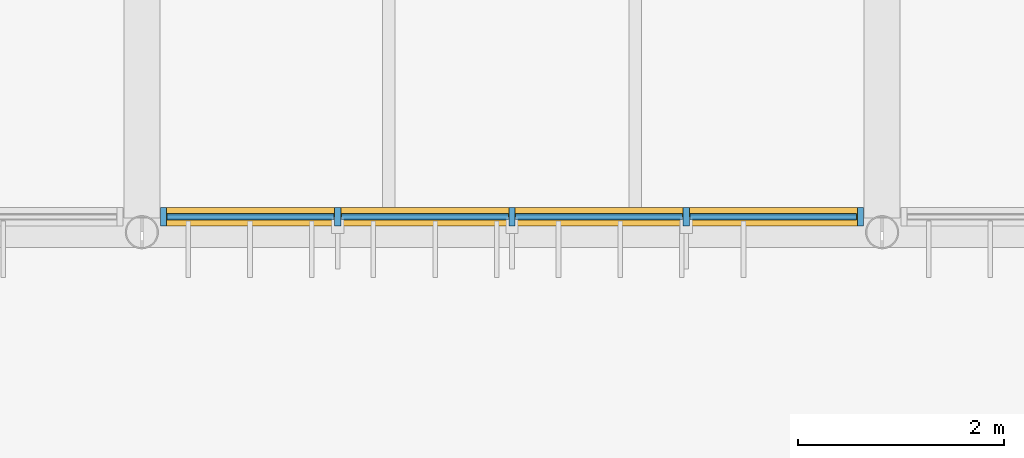
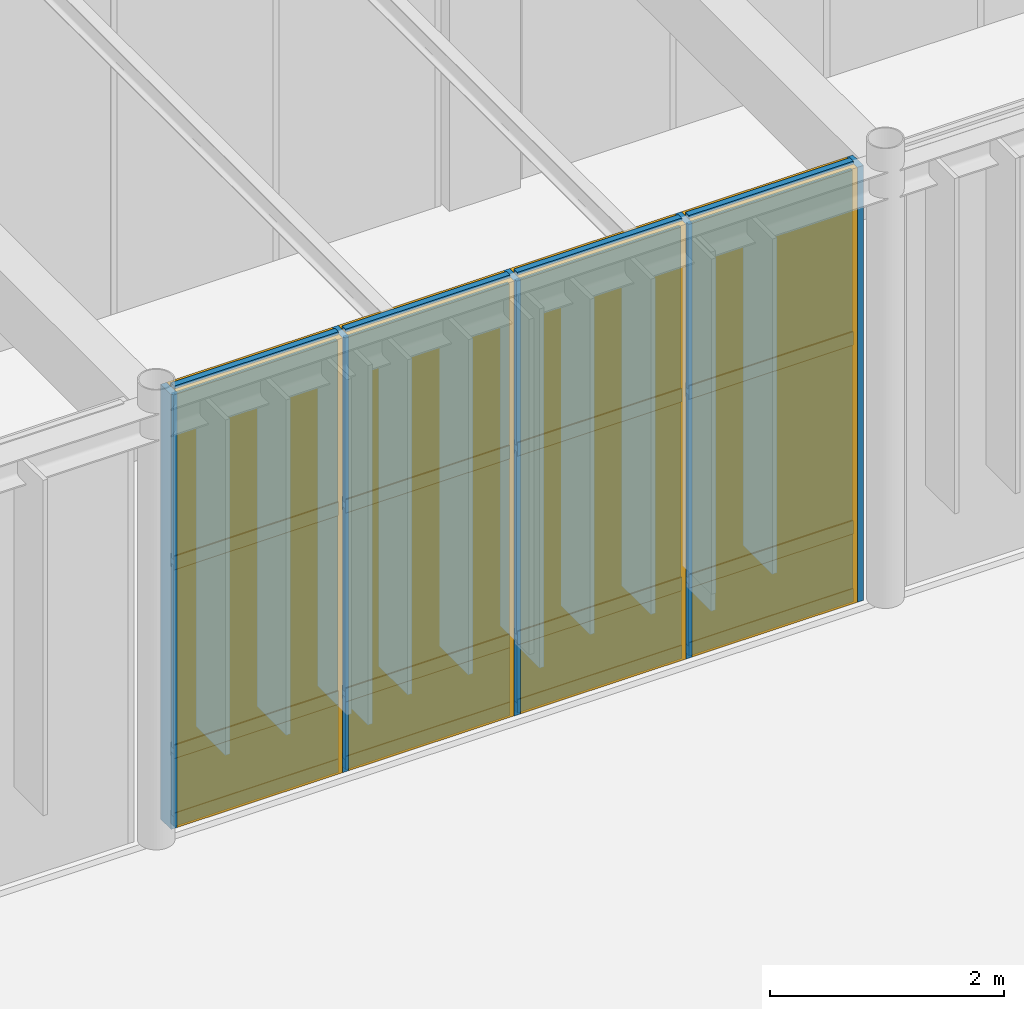
# One storey, part 88 of 122: 21 members, 12 plates, 1 curtain wall.
"""IFC4 building model written with IfcOpenShell, lengths in metres."""

from ifc_helpers import new_model, si_unit, direction, frame, frame_2d, origin, origin_2d, place, context, subcontext, project, spatial, rectangle, extrude, material, layer, layer_set, material_profile, profile_set, type_object, element, aggregate, save


model = new_model("IFC4")

# Units and contexts
model_context = context("Model", 3, precision=1e-05, world=origin(), true_north=direction((0.0, 1.0)))
body_context = subcontext(model_context, "Body", "Model", "MODEL_VIEW")
ifc_project = project(units=[si_unit("LENGTHUNIT", "METRE"), si_unit("AREAUNIT", "SQUARE_METRE"), si_unit("VOLUMEUNIT", "CUBIC_METRE"), si_unit("PLANEANGLEUNIT", "RADIAN"), si_unit("MASSUNIT", "GRAM", prefix="KILO")], contexts=[model_context])

# Member
ifc_material_1 = material(Name="Anodised Bronze Aluminium 6063-T6", Category="aluminium")
ifc_material_profile_1 = material_profile(ifc_material_1, rectangle(XDim=0.06005859375, YDim=0.179931640625, at=origin_2d()), Name="ALU MULLION 60x180")
ifc_profile_set_1 = profile_set([ifc_material_profile_1], Name="Anodised Bronze Aluminium 6063-T6")
member_type_1 = type_object("IfcMemberType", Name="Curtain-Wall Primary Mullion 60x180", PredefinedType="MULLION", material=ifc_profile_set_1)
site_placement = place(None, origin())
building_placement = place(site_placement, origin())
storey_placement = place(building_placement, origin())
member_1_placement = place(storey_placement, frame((110.011962890625, 44.75, 0.0), z_axis=(0.0, 0.0, 1.0), x_axis=(1.0, 0.0, 0.0)))
member_1 = element("IfcMember", 1, at=member_1_placement, type_object=member_type_1, Name="Mullion CWM-01 CW-ELNK-S-L00-B3-M01", PredefinedType="MULLION", context=body_context, shape_type="SweptSolid", body=[
    extrude(rectangle(XDim=0.06005859375, YDim=0.179931640625, at=origin_2d()), origin(), (0.0, 0.0, 1.0), 4.5400390625),
])

member_2_placement = place(storey_placement, frame((111.705810546875, 44.75, 0.0), z_axis=(0.0, 0.0, 1.0), x_axis=(1.0, 0.0, 0.0)))
member_2 = element("IfcMember", 2, at=member_2_placement, type_object=member_type_1, Name="Mullion CWM-01 CW-ELNK-S-L00-B3-M02", PredefinedType="MULLION", context=body_context, shape_type="SweptSolid", body=[
    extrude(rectangle(XDim=0.06005859375, YDim=0.179931640625, at=origin_2d()), origin(), (0.0, 0.0, 1.0), 4.5400390625),
])

member_3_placement = place(storey_placement, frame((113.39990234375, 44.75, 0.0), z_axis=(0.0, 0.0, 1.0), x_axis=(1.0, 0.0, 0.0)))
member_3 = element("IfcMember", 3, at=member_3_placement, type_object=member_type_1, Name="Mullion CWM-01 CW-ELNK-S-L00-B3-M03", PredefinedType="MULLION", context=body_context, shape_type="SweptSolid", body=[
    extrude(rectangle(XDim=0.06005859375, YDim=0.179931640625, at=origin_2d()), origin(), (0.0, 0.0, 1.0), 4.5400390625),
])

member_4_placement = place(storey_placement, frame((115.093994140625, 44.75, 0.0), z_axis=(0.0, 0.0, 1.0), x_axis=(1.0, 0.0, 0.0)))
member_4 = element("IfcMember", 4, at=member_4_placement, type_object=member_type_1, Name="Mullion CWM-01 CW-ELNK-S-L00-B3-M04", PredefinedType="MULLION", context=body_context, shape_type="SweptSolid", body=[
    extrude(rectangle(XDim=0.06005859375, YDim=0.179931640625, at=origin_2d()), origin(), (0.0, 0.0, 1.0), 4.5400390625),
])

member_5_placement = place(storey_placement, frame((116.7880859375, 44.75, 0.0), z_axis=(0.0, 0.0, 1.0), x_axis=(1.0, 0.0, 0.0)))
member_5 = element("IfcMember", 5, at=member_5_placement, type_object=member_type_1, Name="Mullion CWM-01 CW-ELNK-S-L00-B3-M05", PredefinedType="MULLION", context=body_context, shape_type="SweptSolid", body=[
    extrude(rectangle(XDim=0.06005859375, YDim=0.179931640625, at=origin_2d()), origin(), (0.0, 0.0, 1.0), 4.5400390625),
])

ifc_material_profile_2 = material_profile(ifc_material_1, rectangle(XDim=0.06005859375, YDim=0.139892578125, at=origin_2d()), Name="ALU TRANSOM 60x140")
ifc_profile_set_2 = profile_set([ifc_material_profile_2], Name="Anodised Bronze Aluminium 6063-T6")
member_type_2 = type_object("IfcMemberType", Name="Curtain-Wall Transom 60x140", PredefinedType="USERDEFINED", material=ifc_profile_set_2)
member_6_placement = place(storey_placement, frame((110.046875, 44.75, 0.0400390625), z_axis=(1.0, 0.0, 0.0), x_axis=(0.0, 1.0, 0.0)))
member_6 = element("IfcMember", 6, at=member_6_placement, type_object=member_type_2, Name="Transom CWT-01 CW-ELNK-S-L00-B3-T01.1", ObjectType="TRANSOM", PredefinedType="USERDEFINED", context=body_context, shape_type="SweptSolid", body=[
    extrude(rectangle(XDim=0.06005859375, YDim=0.139892578125, at=origin_2d()), origin(), (0.0, 0.0, 1.0), 1.6240234375),
])

member_7_placement = place(storey_placement, frame((110.046875, 44.75, 0.75), z_axis=(1.0, 0.0, 0.0), x_axis=(0.0, 1.0, 0.0)))
member_7 = element("IfcMember", 7, at=member_7_placement, type_object=member_type_2, Name="Transom CWT-01 CW-ELNK-S-L00-B3-T01.2", ObjectType="TRANSOM", PredefinedType="USERDEFINED", context=body_context, shape_type="SweptSolid", body=[
    extrude(rectangle(XDim=0.06005859375, YDim=0.139892578125, at=origin_2d()), origin(), (0.0, 0.0, 1.0), 1.6240234375),
])

member_8_placement = place(storey_placement, frame((110.046875, 44.75, 2.720703125), z_axis=(1.0, 0.0, 0.0), x_axis=(0.0, 1.0, 0.0)))
member_8 = element("IfcMember", 8, at=member_8_placement, type_object=member_type_2, Name="Transom CWT-01 CW-ELNK-S-L00-B3-T01.3", ObjectType="TRANSOM", PredefinedType="USERDEFINED", context=body_context, shape_type="SweptSolid", body=[
    extrude(rectangle(XDim=0.06005859375, YDim=0.139892578125, at=origin_2d()), origin(), (0.0, 0.0, 1.0), 1.6240234375),
])

member_9_placement = place(storey_placement, frame((110.046875, 44.75, 4.5), z_axis=(1.0, 0.0, 0.0), x_axis=(0.0, 1.0, 0.0)))
member_9 = element("IfcMember", 9, at=member_9_placement, type_object=member_type_2, Name="Transom CWT-01 CW-ELNK-S-L00-B3-T01.4", ObjectType="TRANSOM", PredefinedType="USERDEFINED", context=body_context, shape_type="SweptSolid", body=[
    extrude(rectangle(XDim=0.06005859375, YDim=0.139892578125, at=origin_2d()), origin(), (0.0, 0.0, 1.0), 1.6240234375),
])

member_10_placement = place(storey_placement, frame((111.740966796875, 44.75, 0.0400390625), z_axis=(1.0, 0.0, 0.0), x_axis=(0.0, 1.0, 0.0)))
member_10 = element("IfcMember", 10, at=member_10_placement, type_object=member_type_2, Name="Transom CWT-01 CW-ELNK-S-L00-B3-T02.1", ObjectType="TRANSOM", PredefinedType="USERDEFINED", context=body_context, shape_type="SweptSolid", body=[
    extrude(rectangle(XDim=0.06005859375, YDim=0.139892578125, at=origin_2d()), origin(), (0.0, 0.0, 1.0), 1.6240234375),
])

member_11_placement = place(storey_placement, frame((111.740966796875, 44.75, 0.75), z_axis=(1.0, 0.0, 0.0), x_axis=(0.0, 1.0, 0.0)))
member_11 = element("IfcMember", 11, at=member_11_placement, type_object=member_type_2, Name="Transom CWT-01 CW-ELNK-S-L00-B3-T02.2", ObjectType="TRANSOM", PredefinedType="USERDEFINED", context=body_context, shape_type="SweptSolid", body=[
    extrude(rectangle(XDim=0.06005859375, YDim=0.139892578125, at=origin_2d()), origin(), (0.0, 0.0, 1.0), 1.6240234375),
])

member_12_placement = place(storey_placement, frame((111.740966796875, 44.75, 2.720703125), z_axis=(1.0, 0.0, 0.0), x_axis=(0.0, 1.0, 0.0)))
member_12 = element("IfcMember", 12, at=member_12_placement, type_object=member_type_2, Name="Transom CWT-01 CW-ELNK-S-L00-B3-T02.3", ObjectType="TRANSOM", PredefinedType="USERDEFINED", context=body_context, shape_type="SweptSolid", body=[
    extrude(rectangle(XDim=0.06005859375, YDim=0.139892578125, at=origin_2d()), origin(), (0.0, 0.0, 1.0), 1.6240234375),
])

member_13_placement = place(storey_placement, frame((111.740966796875, 44.75, 4.5), z_axis=(1.0, 0.0, 0.0), x_axis=(0.0, 1.0, 0.0)))
member_13 = element("IfcMember", 13, at=member_13_placement, type_object=member_type_2, Name="Transom CWT-01 CW-ELNK-S-L00-B3-T02.4", ObjectType="TRANSOM", PredefinedType="USERDEFINED", context=body_context, shape_type="SweptSolid", body=[
    extrude(rectangle(XDim=0.06005859375, YDim=0.139892578125, at=origin_2d()), origin(), (0.0, 0.0, 1.0), 1.6240234375),
])

member_14_placement = place(storey_placement, frame((113.43505859375, 44.75, 0.0400390625), z_axis=(1.0, 0.0, 0.0), x_axis=(0.0, 1.0, 0.0)))
member_14 = element("IfcMember", 14, at=member_14_placement, type_object=member_type_2, Name="Transom CWT-01 CW-ELNK-S-L00-B3-T03.1", ObjectType="TRANSOM", PredefinedType="USERDEFINED", context=body_context, shape_type="SweptSolid", body=[
    extrude(rectangle(XDim=0.06005859375, YDim=0.139892578125, at=origin_2d()), origin(), (0.0, 0.0, 1.0), 1.6240234375),
])

member_15_placement = place(storey_placement, frame((113.43505859375, 44.75, 0.75), z_axis=(1.0, 0.0, 0.0), x_axis=(0.0, 1.0, 0.0)))
member_15 = element("IfcMember", 15, at=member_15_placement, type_object=member_type_2, Name="Transom CWT-01 CW-ELNK-S-L00-B3-T03.2", ObjectType="TRANSOM", PredefinedType="USERDEFINED", context=body_context, shape_type="SweptSolid", body=[
    extrude(rectangle(XDim=0.06005859375, YDim=0.139892578125, at=origin_2d()), origin(), (0.0, 0.0, 1.0), 1.6240234375),
])

member_16_placement = place(storey_placement, frame((113.43505859375, 44.75, 2.720703125), z_axis=(1.0, 0.0, 0.0), x_axis=(0.0, 1.0, 0.0)))
member_16 = element("IfcMember", 16, at=member_16_placement, type_object=member_type_2, Name="Transom CWT-01 CW-ELNK-S-L00-B3-T03.3", ObjectType="TRANSOM", PredefinedType="USERDEFINED", context=body_context, shape_type="SweptSolid", body=[
    extrude(rectangle(XDim=0.06005859375, YDim=0.139892578125, at=origin_2d()), origin(), (0.0, 0.0, 1.0), 1.6240234375),
])

member_17_placement = place(storey_placement, frame((113.43505859375, 44.75, 4.5), z_axis=(1.0, 0.0, 0.0), x_axis=(0.0, 1.0, 0.0)))
member_17 = element("IfcMember", 17, at=member_17_placement, type_object=member_type_2, Name="Transom CWT-01 CW-ELNK-S-L00-B3-T03.4", ObjectType="TRANSOM", PredefinedType="USERDEFINED", context=body_context, shape_type="SweptSolid", body=[
    extrude(rectangle(XDim=0.06005859375, YDim=0.139892578125, at=origin_2d()), origin(), (0.0, 0.0, 1.0), 1.6240234375),
])

member_18_placement = place(storey_placement, frame((115.12890625, 44.75, 0.0400390625), z_axis=(1.0, 0.0, 0.0), x_axis=(0.0, 1.0, 0.0)))
member_18 = element("IfcMember", 18, at=member_18_placement, type_object=member_type_2, Name="Transom CWT-01 CW-ELNK-S-L00-B3-T04.1", ObjectType="TRANSOM", PredefinedType="USERDEFINED", context=body_context, shape_type="SweptSolid", body=[
    extrude(rectangle(XDim=0.06005859375, YDim=0.139892578125, at=origin_2d()), origin(), (0.0, 0.0, 1.0), 1.6240234375),
])

member_19_placement = place(storey_placement, frame((115.12890625, 44.75, 0.75), z_axis=(1.0, 0.0, 0.0), x_axis=(0.0, 1.0, 0.0)))
member_19 = element("IfcMember", 19, at=member_19_placement, type_object=member_type_2, Name="Transom CWT-01 CW-ELNK-S-L00-B3-T04.2", ObjectType="TRANSOM", PredefinedType="USERDEFINED", context=body_context, shape_type="SweptSolid", body=[
    extrude(rectangle(XDim=0.06005859375, YDim=0.139892578125, at=origin_2d()), origin(), (0.0, 0.0, 1.0), 1.6240234375),
])

member_20_placement = place(storey_placement, frame((115.12890625, 44.75, 2.720703125), z_axis=(1.0, 0.0, 0.0), x_axis=(0.0, 1.0, 0.0)))
member_20 = element("IfcMember", 20, at=member_20_placement, type_object=member_type_2, Name="Transom CWT-01 CW-ELNK-S-L00-B3-T04.3", ObjectType="TRANSOM", PredefinedType="USERDEFINED", context=body_context, shape_type="SweptSolid", body=[
    extrude(rectangle(XDim=0.06005859375, YDim=0.139892578125, at=origin_2d()), origin(), (0.0, 0.0, 1.0), 1.6240234375),
])

member_21_placement = place(storey_placement, frame((115.12890625, 44.75, 4.5), z_axis=(1.0, 0.0, 0.0), x_axis=(0.0, 1.0, 0.0)))
member_21 = element("IfcMember", 21, at=member_21_placement, type_object=member_type_2, Name="Transom CWT-01 CW-ELNK-S-L00-B3-T04.4", ObjectType="TRANSOM", PredefinedType="USERDEFINED", context=body_context, shape_type="SweptSolid", body=[
    extrude(rectangle(XDim=0.06005859375, YDim=0.139892578125, at=origin_2d()), origin(), (0.0, 0.0, 1.0), 1.6240234375),
])

# Plate
ifc_material_2 = material(Name="Insulated Bronze Aluminium Spandrel Panel", Category="aluminium")
ifc_layer_1 = layer(ifc_material_2, 0.050048828125, Name="Insulated Bronze Aluminium Spandrel Panel")
ifc_layer_set_1 = layer_set([ifc_layer_1], Name="Insulated Bronze Aluminium Spandrel Panel")
plate_type_1 = type_object("IfcPlateType", Name="Insulated Anodised Aluminium Spandrel Cassette 50", PredefinedType="CURTAIN_PANEL", material=ifc_layer_set_1)
plate_1_placement = place(storey_placement, frame((110.85888671875, 44.75, 0.070068359375), z_axis=(0.0, 0.0, 1.0), x_axis=(1.0, 0.0, 0.0)))
plate_1 = element("IfcPlate", 22, at=plate_1_placement, type_object=plate_type_1, Name="Curtain Panel CWP-03 CW-ELNK-S-L00-B3-P01.1", PredefinedType="CURTAIN_PANEL", context=body_context, shape_type="SweptSolid", body=[
    extrude(rectangle(XDim=1.6240234375, YDim=0.050048828125, at=origin_2d()), origin(), (0.0, 0.0, 1.0), 0.64990234375),
])

plate_2_placement = place(storey_placement, frame((112.552978515625, 44.75, 0.070068359375), z_axis=(0.0, 0.0, 1.0), x_axis=(1.0, 0.0, 0.0)))
plate_2 = element("IfcPlate", 23, at=plate_2_placement, type_object=plate_type_1, Name="Curtain Panel CWP-03 CW-ELNK-S-L00-B3-P02.1", PredefinedType="CURTAIN_PANEL", context=body_context, shape_type="SweptSolid", body=[
    extrude(rectangle(XDim=1.6240234375, YDim=0.050048828125, at=origin_2d()), origin(), (0.0, 0.0, 1.0), 0.64990234375),
])

plate_3_placement = place(storey_placement, frame((114.2470703125, 44.75, 0.070068359375), z_axis=(0.0, 0.0, 1.0), x_axis=(1.0, 0.0, 0.0)))
plate_3 = element("IfcPlate", 24, at=plate_3_placement, type_object=plate_type_1, Name="Curtain Panel CWP-03 CW-ELNK-S-L00-B3-P03.1", PredefinedType="CURTAIN_PANEL", context=body_context, shape_type="SweptSolid", body=[
    extrude(rectangle(XDim=1.6240234375, YDim=0.050048828125, at=origin_2d()), origin(), (0.0, 0.0, 1.0), 0.64990234375),
])

plate_4_placement = place(storey_placement, frame((115.94091796875, 44.75, 0.070068359375), z_axis=(0.0, 0.0, 1.0), x_axis=(1.0, 0.0, 0.0)))
plate_4 = element("IfcPlate", 25, at=plate_4_placement, type_object=plate_type_1, Name="Curtain Panel CWP-03 CW-ELNK-S-L00-B3-P04.1", PredefinedType="CURTAIN_PANEL", context=body_context, shape_type="SweptSolid", body=[
    extrude(rectangle(XDim=1.6240234375, YDim=0.050048828125, at=origin_2d()), origin(), (0.0, 0.0, 1.0), 0.64990234375),
])

ifc_material_3 = material(Name="Solar-Control Tempered Double Glazing", Category="glass")
ifc_layer_2 = layer(ifc_material_3, 0.0380859375, Name="Solar-Control Tempered Double Glazing")
ifc_layer_set_2 = layer_set([ifc_layer_2], Name="Solar-Control Tempered Double Glazing")
plate_type_2 = type_object("IfcPlateType", Name="Solar-Control Vision Glazing Unit 38", PredefinedType="CURTAIN_PANEL", material=ifc_layer_set_2)
plate_5_placement = place(storey_placement, frame((110.85888671875, 44.75, 0.77978515625), z_axis=(0.0, 0.0, 1.0), x_axis=(1.0, 0.0, 0.0)))
plate_5 = element("IfcPlate", 26, at=plate_5_placement, type_object=plate_type_2, Name="Curtain Panel CWP-02 CW-ELNK-S-L00-B3-P01.2", PredefinedType="CURTAIN_PANEL", context=body_context, shape_type="SweptSolid", body=[
    extrude(rectangle(XDim=1.6240234375, YDim=0.0380859375, at=origin_2d()), origin(), (0.0, 0.0, 1.0), 1.910888671875),
])

plate_6_placement = place(storey_placement, frame((110.85888671875, 44.75, 2.750732421875), z_axis=(0.0, 0.0, 1.0), x_axis=(1.0, 0.0, 0.0)))
plate_6 = element("IfcPlate", 27, at=plate_6_placement, type_object=plate_type_2, Name="Curtain Panel CWP-02 CW-ELNK-S-L00-B3-P01.3", PredefinedType="CURTAIN_PANEL", context=body_context, shape_type="SweptSolid", body=[
    extrude(rectangle(XDim=1.6240234375, YDim=0.0380859375, at=origin_2d()), origin(), (0.0, 0.0, 1.0), 1.71923828125),
])

plate_7_placement = place(storey_placement, frame((112.552978515625, 44.75, 0.77978515625), z_axis=(0.0, 0.0, 1.0), x_axis=(1.0, 0.0, 0.0)))
plate_7 = element("IfcPlate", 28, at=plate_7_placement, type_object=plate_type_2, Name="Curtain Panel CWP-02 CW-ELNK-S-L00-B3-P02.2", PredefinedType="CURTAIN_PANEL", context=body_context, shape_type="SweptSolid", body=[
    extrude(rectangle(XDim=1.6240234375, YDim=0.0380859375, at=origin_2d()), origin(), (0.0, 0.0, 1.0), 1.910888671875),
])

plate_8_placement = place(storey_placement, frame((112.552978515625, 44.75, 2.750732421875), z_axis=(0.0, 0.0, 1.0), x_axis=(1.0, 0.0, 0.0)))
plate_8 = element("IfcPlate", 29, at=plate_8_placement, type_object=plate_type_2, Name="Curtain Panel CWP-02 CW-ELNK-S-L00-B3-P02.3", PredefinedType="CURTAIN_PANEL", context=body_context, shape_type="SweptSolid", body=[
    extrude(rectangle(XDim=1.6240234375, YDim=0.0380859375, at=origin_2d()), origin(), (0.0, 0.0, 1.0), 1.71923828125),
])

plate_9_placement = place(storey_placement, frame((114.2470703125, 44.75, 0.77978515625), z_axis=(0.0, 0.0, 1.0), x_axis=(1.0, 0.0, 0.0)))
plate_9 = element("IfcPlate", 30, at=plate_9_placement, type_object=plate_type_2, Name="Curtain Panel CWP-02 CW-ELNK-S-L00-B3-P03.2", PredefinedType="CURTAIN_PANEL", context=body_context, shape_type="SweptSolid", body=[
    extrude(rectangle(XDim=1.6240234375, YDim=0.0380859375, at=origin_2d()), origin(), (0.0, 0.0, 1.0), 1.910888671875),
])

plate_10_placement = place(storey_placement, frame((114.2470703125, 44.75, 2.750732421875), z_axis=(0.0, 0.0, 1.0), x_axis=(1.0, 0.0, 0.0)))
plate_10 = element("IfcPlate", 31, at=plate_10_placement, type_object=plate_type_2, Name="Curtain Panel CWP-02 CW-ELNK-S-L00-B3-P03.3", PredefinedType="CURTAIN_PANEL", context=body_context, shape_type="SweptSolid", body=[
    extrude(rectangle(XDim=1.6240234375, YDim=0.0380859375, at=origin_2d()), origin(), (0.0, 0.0, 1.0), 1.71923828125),
])

plate_11_placement = place(storey_placement, frame((115.94091796875, 44.75, 0.77978515625), z_axis=(0.0, 0.0, 1.0), x_axis=(1.0, 0.0, 0.0)))
plate_11 = element("IfcPlate", 32, at=plate_11_placement, type_object=plate_type_2, Name="Curtain Panel CWP-02 CW-ELNK-S-L00-B3-P04.2", PredefinedType="CURTAIN_PANEL", context=body_context, shape_type="SweptSolid", body=[
    extrude(rectangle(XDim=1.6240234375, YDim=0.0380859375, at=origin_2d()), origin(), (0.0, 0.0, 1.0), 1.910888671875),
])

plate_12_placement = place(storey_placement, frame((115.94091796875, 44.75, 2.750732421875), z_axis=(0.0, 0.0, 1.0), x_axis=(1.0, 0.0, 0.0)))
plate_12 = element("IfcPlate", 33, at=plate_12_placement, type_object=plate_type_2, Name="Curtain Panel CWP-02 CW-ELNK-S-L00-B3-P04.3", PredefinedType="CURTAIN_PANEL", context=body_context, shape_type="SweptSolid", body=[
    extrude(rectangle(XDim=1.6240234375, YDim=0.0380859375, at=origin_2d()), origin(), (0.0, 0.0, 1.0), 1.71923828125),
])

# Site, building, storey
site = spatial("IfcSite", under=ifc_project, at=site_placement, CompositionType="ELEMENT")
building = spatial("IfcBuilding", under=site, at=building_placement, Name="Tazoul Stagehouse", CompositionType="ELEMENT")
storey = spatial("IfcBuildingStorey", under=building, at=storey_placement, Name="L00", CompositionType="ELEMENT", Elevation=0.0)

# Curtain wall
curtain_wall_type = type_object("IfcCurtainWallType", Name="Foyer Clear Solar-Control Curtain Wall", PredefinedType="NOTDEFINED", material=ifc_material_1)
curtain_wall_placement = place(storey_placement, frame((110.011962890625, 44.75, 0.0), z_axis=(0.0, 0.0, 1.0), x_axis=(1.0, 0.0, 0.0)))
curtain_wall = element("IfcCurtainWall", 34, at=curtain_wall_placement, inside=storey, type_object=curtain_wall_type, Name="L00 Curtain Wall CW-02 (CW-ELNK-S-L00-B3)", PredefinedType="NOTDEFINED", context=body_context, shape_type="SweptSolid", body=[
    extrude(rectangle(XDim=6.776123046875, YDim=0.179931640625, at=frame_2d((3.38818359375, 0.0))), origin(), (0.0, 0.0, 1.0), 4.5400390625),
])

aggregate(curtain_wall, [member_1, member_2, member_3, member_4, member_5, member_6, member_7, member_8, member_9, plate_1, plate_5, plate_6, member_10, member_11, member_12, member_13, plate_2, plate_7, plate_8, member_14, member_15, member_16, member_17, plate_3, plate_9, plate_10, member_18, member_19, member_20, member_21, plate_4, plate_11, plate_12])

save(model, "model.ifc")
